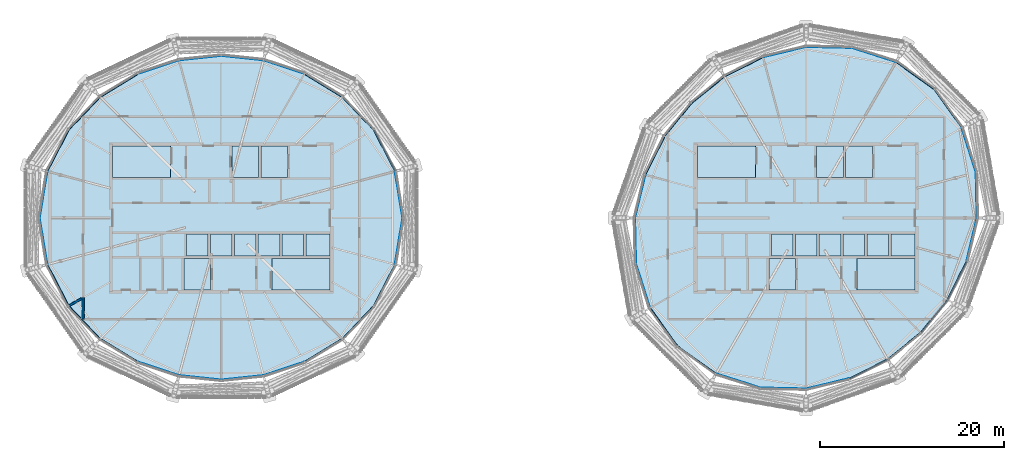
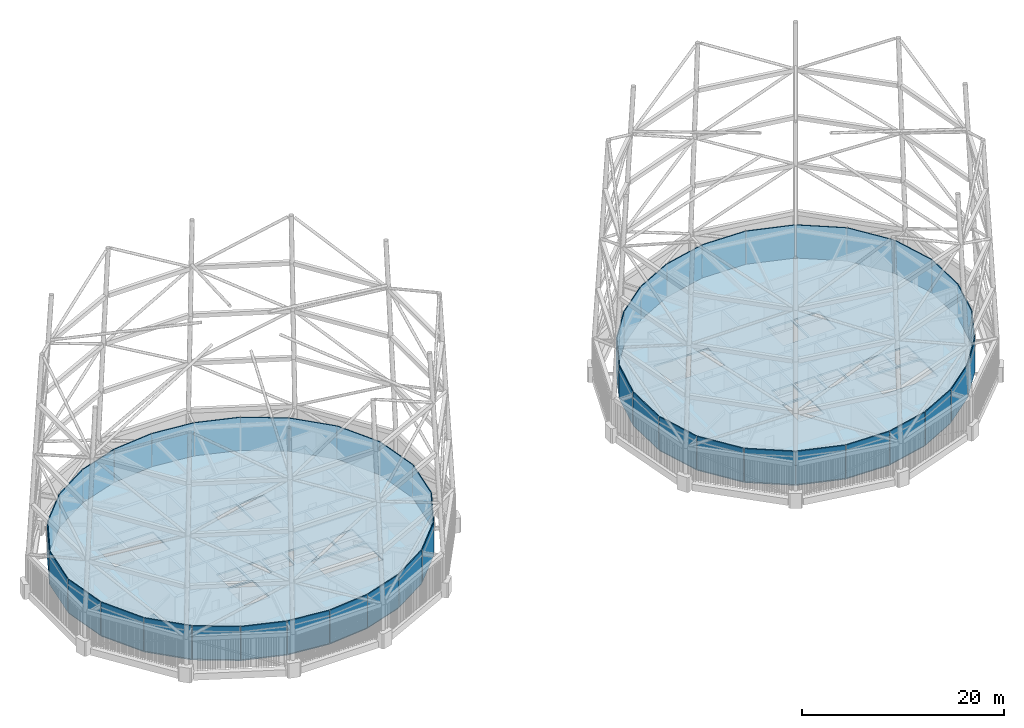
# One storey, part 62 of 71: 48 plates, 4 slabs, 2 walls, 2 elements without a shape of their own.
"""IFC4 building model written with IfcOpenShell, lengths in metres."""

from ifc_helpers import new_model, si_unit, direction, frame, frame_2d, origin, origin_2d, place, context, subcontext, project, spatial, polyline, rectangle, outline, extrude, material, layer, layer_set, type_object, element, aggregate, save


model = new_model("IFC4")

# Units and contexts
model_context = context("Model", 3, precision=1e-05, world=origin(), true_north=direction((0.0, 1.0)))
body_context = subcontext(model_context, "Body", "Model", "MODEL_VIEW")
ifc_project = project(units=[si_unit("LENGTHUNIT", "METRE"), si_unit("AREAUNIT", "SQUARE_METRE"), si_unit("VOLUMEUNIT", "CUBIC_METRE"), si_unit("PLANEANGLEUNIT", "RADIAN"), si_unit("MASSUNIT", "GRAM", prefix="KILO")], contexts=[model_context])

# Site, building, storey
site_placement = place(None, origin())
site = spatial("IfcSite", under=ifc_project, at=site_placement, CompositionType="ELEMENT")
building_placement = place(site_placement, origin())
building = spatial("IfcBuilding", under=site, at=building_placement, Name="Rimbun Link Towers", CompositionType="ELEMENT")
storey_placement = place(building_placement, frame((0.0, 0.0, 267.60009765625)))
storey = spatial("IfcBuildingStorey", under=building, at=storey_placement, Name="L65", CompositionType="ELEMENT", Elevation=267.60009765625)

# Slabs
ifc_material_1 = material(Name="Concrete C35/45", Category="concrete")
ifc_layer_1 = layer(ifc_material_1, 0.199951171875)
ifc_layer_set_1 = layer_set([ifc_layer_1], Name="COMPOSITE FLOOR 200")
slab_type_1 = type_object("IfcSlabType", Name="COMPOSITE FLOOR 200", PredefinedType="FLOOR", material=ifc_layer_set_1)
slab_1_placement = place(storey_placement, frame((0.0, 0.0, -0.2001953125)))
element("IfcSlab", 1, at=slab_1_placement, inside=storey, type_object=slab_type_1, Name="Floor slab T1 L65", PredefinedType="FLOOR", context=body_context, shape_type="SweptSolid", body=[
    extrude(outline(polyline([(-12.896240234375, -5.0517578125), (-15.220458984375, -9.54345703125), (-18.639892578125, -13.110107421875), (-22.730712890625, -15.621826171875), (-27.169921875, -17.093017578125), (-31.75, -17.5751953125), (-36.330078125, -17.093017578125), (-40.769287109375, -15.621826171875), (-44.860107421875, -13.110107421875), (-48.279541015625, -9.54345703125), (-50.603759765625, -5.0517578125), (-51.434326171875, 0.0), (-50.603759765625, 5.0517578125), (-48.279541015625, 9.54345703125), (-44.860107421875, 13.110107421875), (-40.769287109375, 15.621826171875), (-36.330078125, 17.093017578125), (-31.75, 17.5751953125), (-27.169921875, 17.093017578125), (-22.730712890625, 15.621826171875), (-18.639892578125, 13.110107421875), (-15.220458984375, 9.54345703125), (-12.896240234375, 5.0517578125), (-12.065673828125, 0.0), (-12.896240234375, -5.0517578125)]), holes=[polyline([(-32.89990234375, -4.39990234375), (-35.800048828125, -4.39990234375), (-35.800048828125, -7.800048828125), (-32.89990234375, -7.800048828125), (-32.89990234375, -4.39990234375)]), polyline([(-33.172119140625, -1.75), (-35.5166015625, -1.75), (-35.5166015625, -4.14990234375), (-33.172119140625, -4.14990234375), (-33.172119140625, -1.75)]), polyline([(-30.577880859375, -1.75), (-32.922119140625, -1.75), (-32.922119140625, -4.14990234375), (-30.577880859375, -4.14990234375), (-30.577880859375, -1.75)]), polyline([(-27.9833984375, -4.14990234375), (-27.9833984375, -1.75), (-30.327880859375, -1.75), (-30.327880859375, -4.14990234375), (-27.9833984375, -4.14990234375)]), polyline([(-37.260009765625, 4.39990234375), (-37.260009765625, 7.800048828125), (-43.550048828125, 7.800048828125), (-43.550048828125, 4.39990234375), (-37.260009765625, 4.39990234375)]), polyline([(-27.699951171875, 7.800048828125), (-30.60009765625, 7.800048828125), (-30.60009765625, 4.39990234375), (-27.699951171875, 4.39990234375), (-27.699951171875, 7.800048828125)]), polyline([(-19.949951171875, -7.800048828125), (-19.949951171875, -4.39990234375), (-26.239990234375, -4.39990234375), (-26.239990234375, -7.800048828125), (-19.949951171875, -7.800048828125)]), polyline([(-25.388916015625, -4.14990234375), (-25.388916015625, -1.75), (-27.7333984375, -1.75), (-27.7333984375, -4.14990234375), (-25.388916015625, -4.14990234375)]), polyline([(-22.79443359375, -1.75), (-25.138916015625, -1.75), (-25.138916015625, -4.14990234375), (-22.79443359375, -4.14990234375), (-22.79443359375, -1.75)]), polyline([(-19.949951171875, -4.14990234375), (-19.949951171875, -1.75), (-22.54443359375, -1.75), (-22.54443359375, -4.14990234375), (-19.949951171875, -4.14990234375)]), polyline([(-24.550048828125, 4.39990234375), (-24.550048828125, 7.800048828125), (-27.449951171875, 7.800048828125), (-27.449951171875, 4.39990234375), (-24.550048828125, 4.39990234375)])]), origin(), (0.0, 0.0, 1.0), 0.2001953125),
])
slab_2_placement = place(storey_placement, frame((0.0, 0.0, -0.2001953125)))
element("IfcSlab", 2, at=slab_2_placement, inside=storey, type_object=slab_type_1, Name="Floor slab T2 L65", PredefinedType="FLOOR", context=body_context, shape_type="SweptSolid", body=[
    extrude(outline(polyline([(48.65380859375, 9.759521484375), (50.186279296875, 4.93994140625), (50.29052734375, 0.0), (49.173828125, -4.668701171875), (47.0751953125, -8.847900390625), (44.177490234375, -12.427490234375), (40.597900390625, -15.3251953125), (36.418701171875, -17.423828125), (31.75, -18.54052734375), (26.81005859375, -18.436279296875), (21.990478515625, -16.90380859375), (17.8310546875, -13.9189453125), (14.84619140625, -9.759521484375), (13.313720703125, -4.93994140625), (13.20947265625, 0.0), (14.326171875, 4.668701171875), (16.4248046875, 8.847900390625), (19.322509765625, 12.427490234375), (22.902099609375, 15.3251953125), (27.081298828125, 17.423828125), (31.75, 18.54052734375), (36.68994140625, 18.436279296875), (41.509521484375, 16.90380859375), (45.6689453125, 13.9189453125), (48.65380859375, 9.759521484375)]), holes=[polyline([(30.60009765625, -4.39990234375), (27.699951171875, -4.39990234375), (27.699951171875, -7.800048828125), (30.60009765625, -7.800048828125), (30.60009765625, -4.39990234375)]), polyline([(30.327880859375, -1.75), (27.9833984375, -1.75), (27.9833984375, -4.14990234375), (30.327880859375, -4.14990234375), (30.327880859375, -1.75)]), polyline([(32.922119140625, -1.75), (30.577880859375, -1.75), (30.577880859375, -4.14990234375), (32.922119140625, -4.14990234375), (32.922119140625, -1.75)]), polyline([(35.5166015625, -4.14990234375), (35.5166015625, -1.75), (33.172119140625, -1.75), (33.172119140625, -4.14990234375), (35.5166015625, -4.14990234375)]), polyline([(26.239990234375, 4.39990234375), (26.239990234375, 7.800048828125), (19.949951171875, 7.800048828125), (19.949951171875, 4.39990234375), (26.239990234375, 4.39990234375)]), polyline([(35.800048828125, 7.800048828125), (32.89990234375, 7.800048828125), (32.89990234375, 4.39990234375), (35.800048828125, 4.39990234375), (35.800048828125, 7.800048828125)]), polyline([(43.550048828125, -7.800048828125), (43.550048828125, -4.39990234375), (37.260009765625, -4.39990234375), (37.260009765625, -7.800048828125), (43.550048828125, -7.800048828125)]), polyline([(38.111083984375, -4.14990234375), (38.111083984375, -1.75), (35.7666015625, -1.75), (35.7666015625, -4.14990234375), (38.111083984375, -4.14990234375)]), polyline([(40.70556640625, -1.75), (38.361083984375, -1.75), (38.361083984375, -4.14990234375), (40.70556640625, -4.14990234375), (40.70556640625, -1.75)]), polyline([(43.550048828125, -4.14990234375), (43.550048828125, -1.75), (40.95556640625, -1.75), (40.95556640625, -4.14990234375), (43.550048828125, -4.14990234375)]), polyline([(38.949951171875, 4.39990234375), (38.949951171875, 7.800048828125), (36.050048828125, 7.800048828125), (36.050048828125, 4.39990234375), (38.949951171875, 4.39990234375)])]), origin(), (0.0, 0.0, 1.0), 0.2001953125),
])

# Curtain wall, plates
ifc_material_2 = material(Name="Aluminium 6063-T6 louvre wall", Category="aluminium")
curtain_wall_type = type_object("IfcCurtainWallType", Name="CW6 plant floor louvre wall", PredefinedType="NOTDEFINED", material=ifc_material_2)
curtain_wall_1_placement = place(storey_placement, origin())
curtain_wall_1 = element("IfcCurtainWall", 3, at=curtain_wall_1_placement, inside=storey, type_object=curtain_wall_type, Name="CW6 L65 T1", PredefinedType="NOTDEFINED")
ifc_material_3 = material(Name="Aluminium louvre panel", Category="aluminium")
ifc_layer_2 = layer(ifc_material_3, 0.10009765625)
ifc_layer_set_2 = layer_set([ifc_layer_2], Name="CW6 panel Aluminium louvre panel 100")
plate_type = type_object("IfcPlateType", Name="CW6 panel Aluminium louvre panel 100", PredefinedType="CURTAIN_PANEL", material=ifc_layer_set_2)
plate_1_placement = place(storey_placement, frame((-12.431640625, 2.533935546875, 0.0), z_axis=(0.0, 0.0, 1.0), x_axis=(0.162257403424, -0.98674846594, 0.0)))
plate_1 = element("IfcPlate", 4, at=plate_1_placement, type_object=plate_type, Name="CW6 louvre panel", PredefinedType="CURTAIN_PANEL", context=body_context, shape_type="SweptSolid", body=[
    extrude(rectangle(XDim=5.07958984375, YDim=0.10009765625, at=origin_2d()), origin(), (0.0, 0.0, 1.0), 4.0),
])
plate_2_placement = place(storey_placement, frame((-14.013916015625, 7.320556640625, 0.0), z_axis=(0.0, 0.0, 1.0), x_axis=(0.459556858054, -0.888148351468, 0.0)))
plate_2 = element("IfcPlate", 5, at=plate_2_placement, type_object=plate_type, Name="CW6 louvre panel", PredefinedType="CURTAIN_PANEL", context=body_context, shape_type="SweptSolid", body=[
    extrude(rectangle(XDim=5.017333984375, YDim=0.10009765625, at=origin_2d()), origin(), (0.0, 0.0, 1.0), 4.0),
])
plate_3_placement = place(storey_placement, frame((-16.89404296875, 11.361328125, 0.0), z_axis=(0.0, 0.0, 1.0), x_axis=(0.692054362216, -0.721845384925, 0.0)))
plate_3 = element("IfcPlate", 6, at=plate_3_placement, type_object=plate_type, Name="CW6 louvre panel", PredefinedType="CURTAIN_PANEL", context=body_context, shape_type="SweptSolid", body=[
    extrude(rectangle(XDim=4.901123046875, YDim=0.10009765625, at=origin_2d()), origin(), (0.0, 0.0, 1.0), 4.0),
])
plate_4_placement = place(storey_placement, frame((-20.6591796875, 14.40869140625, 0.0), z_axis=(0.0, 0.0, 1.0), x_axis=(0.852180025726, -0.523248701627, 0.0)))
plate_4 = element("IfcPlate", 7, at=plate_4_placement, type_object=plate_type, Name="CW6 louvre panel", PredefinedType="CURTAIN_PANEL", context=body_context, shape_type="SweptSolid", body=[
    extrude(rectangle(XDim=4.760498046875, YDim=0.10009765625, at=origin_2d()), origin(), (0.0, 0.0, 1.0), 4.0),
])
plate_5_placement = place(storey_placement, frame((-24.9345703125, 16.405029296875, 0.0), z_axis=(0.0, 0.0, 1.0), x_axis=(0.949235663754, -0.314565819277, 0.0)))
plate_5 = element("IfcPlate", 8, at=plate_5_placement, type_object=plate_type, Name="CW6 louvre panel", PredefinedType="CURTAIN_PANEL", context=body_context, shape_type="SweptSolid", body=[
    extrude(rectangle(XDim=4.63671875, YDim=0.10009765625, at=origin_2d()), origin(), (0.0, 0.0, 1.0), 4.0),
])
plate_6_placement = place(storey_placement, frame((-29.454833984375, 17.3837890625, 0.0), z_axis=(0.0, 0.0, 1.0), x_axis=(0.994501287896, -0.104724344706, 0.0)))
plate_6 = element("IfcPlate", 9, at=plate_6_placement, type_object=plate_type, Name="CW6 louvre panel", PredefinedType="CURTAIN_PANEL", context=body_context, shape_type="SweptSolid", body=[
    extrude(rectangle(XDim=4.5654296875, YDim=0.10009765625, at=origin_2d()), origin(), (0.0, 0.0, 1.0), 4.0),
])
plate_7_placement = place(storey_placement, frame((-34.045166015625, 17.3837890625, 0.0), z_axis=(0.0, 0.0, 1.0), x_axis=(0.994501287896, 0.104724344706, 0.0)))
plate_7 = element("IfcPlate", 10, at=plate_7_placement, type_object=plate_type, Name="CW6 louvre panel", PredefinedType="CURTAIN_PANEL", context=body_context, shape_type="SweptSolid", body=[
    extrude(rectangle(XDim=4.5654296875, YDim=0.10009765625, at=origin_2d()), origin(), (0.0, 0.0, 1.0), 4.0),
])
plate_8_placement = place(storey_placement, frame((-38.5654296875, 16.405029296875, 0.0), z_axis=(0.0, 0.0, 1.0), x_axis=(0.949235663754, 0.314565819277, 0.0)))
plate_8 = element("IfcPlate", 11, at=plate_8_placement, type_object=plate_type, Name="CW6 louvre panel", PredefinedType="CURTAIN_PANEL", context=body_context, shape_type="SweptSolid", body=[
    extrude(rectangle(XDim=4.63671875, YDim=0.10009765625, at=origin_2d()), origin(), (0.0, 0.0, 1.0), 4.0),
])
plate_9_placement = place(storey_placement, frame((-42.8408203125, 14.40869140625, 0.0), z_axis=(0.0, 0.0, 1.0), x_axis=(0.852180025726, 0.523248701627, 0.0)))
plate_9 = element("IfcPlate", 12, at=plate_9_placement, type_object=plate_type, Name="CW6 louvre panel", PredefinedType="CURTAIN_PANEL", context=body_context, shape_type="SweptSolid", body=[
    extrude(rectangle(XDim=4.760498046875, YDim=0.10009765625, at=origin_2d()), origin(), (0.0, 0.0, 1.0), 4.0),
])
plate_10_placement = place(storey_placement, frame((-46.60595703125, 11.361328125, 0.0), z_axis=(0.0, 0.0, 1.0), x_axis=(0.692054362216, 0.721845384925, 0.0)))
plate_10 = element("IfcPlate", 13, at=plate_10_placement, type_object=plate_type, Name="CW6 louvre panel", PredefinedType="CURTAIN_PANEL", context=body_context, shape_type="SweptSolid", body=[
    extrude(rectangle(XDim=4.901123046875, YDim=0.10009765625, at=origin_2d()), origin(), (0.0, 0.0, 1.0), 4.0),
])
plate_11_placement = place(storey_placement, frame((-49.486083984375, 7.320556640625, 0.0), z_axis=(0.0, 0.0, 1.0), x_axis=(0.459556858054, 0.888148351468, 0.0)))
plate_11 = element("IfcPlate", 14, at=plate_11_placement, type_object=plate_type, Name="CW6 louvre panel", PredefinedType="CURTAIN_PANEL", context=body_context, shape_type="SweptSolid", body=[
    extrude(rectangle(XDim=5.017333984375, YDim=0.10009765625, at=origin_2d()), origin(), (0.0, 0.0, 1.0), 4.0),
])
plate_12_placement = place(storey_placement, frame((-51.068359375, 2.533935546875, 0.0), z_axis=(0.0, 0.0, 1.0), x_axis=(0.162257403424, 0.98674846594, 0.0)))
plate_12 = element("IfcPlate", 15, at=plate_12_placement, type_object=plate_type, Name="CW6 louvre panel", PredefinedType="CURTAIN_PANEL", context=body_context, shape_type="SweptSolid", body=[
    extrude(rectangle(XDim=5.07958984375, YDim=0.10009765625, at=origin_2d()), origin(), (0.0, 0.0, 1.0), 4.0),
])
plate_13_placement = place(storey_placement, frame((-51.068359375, -2.533935546875, 0.0), z_axis=(0.0, 0.0, 1.0), x_axis=(-0.162257403424, 0.98674846594, 0.0)))
plate_13 = element("IfcPlate", 16, at=plate_13_placement, type_object=plate_type, Name="CW6 louvre panel", PredefinedType="CURTAIN_PANEL", context=body_context, shape_type="SweptSolid", body=[
    extrude(rectangle(XDim=5.07958984375, YDim=0.10009765625, at=origin_2d()), origin(), (0.0, 0.0, 1.0), 4.0),
])
plate_14_placement = place(storey_placement, frame((-49.486083984375, -7.320556640625, 0.0), z_axis=(0.0, 0.0, 1.0), x_axis=(-0.459556858054, 0.888148351468, 0.0)))
plate_14 = element("IfcPlate", 17, at=plate_14_placement, type_object=plate_type, Name="CW6 louvre panel", PredefinedType="CURTAIN_PANEL", context=body_context, shape_type="SweptSolid", body=[
    extrude(rectangle(XDim=5.017333984375, YDim=0.10009765625, at=origin_2d()), origin(), (0.0, 0.0, 1.0), 4.0),
])
plate_15_placement = place(storey_placement, frame((-46.60595703125, -11.361328125, 0.0), z_axis=(0.0, 0.0, 1.0), x_axis=(-0.692054362216, 0.721845384925, 0.0)))
plate_15 = element("IfcPlate", 18, at=plate_15_placement, type_object=plate_type, Name="CW6 louvre panel", PredefinedType="CURTAIN_PANEL", context=body_context, shape_type="SweptSolid", body=[
    extrude(rectangle(XDim=4.901123046875, YDim=0.10009765625, at=origin_2d()), origin(), (0.0, 0.0, 1.0), 4.0),
])
plate_16_placement = place(storey_placement, frame((-42.8408203125, -14.40869140625, 0.0), z_axis=(0.0, 0.0, 1.0), x_axis=(-0.852180025726, 0.523248701627, 0.0)))
plate_16 = element("IfcPlate", 19, at=plate_16_placement, type_object=plate_type, Name="CW6 louvre panel", PredefinedType="CURTAIN_PANEL", context=body_context, shape_type="SweptSolid", body=[
    extrude(rectangle(XDim=4.760498046875, YDim=0.10009765625, at=origin_2d()), origin(), (0.0, 0.0, 1.0), 4.0),
])
plate_17_placement = place(storey_placement, frame((-38.5654296875, -16.405029296875, 0.0), z_axis=(0.0, 0.0, 1.0), x_axis=(-0.949235663754, 0.314565819277, 0.0)))
plate_17 = element("IfcPlate", 20, at=plate_17_placement, type_object=plate_type, Name="CW6 louvre panel", PredefinedType="CURTAIN_PANEL", context=body_context, shape_type="SweptSolid", body=[
    extrude(rectangle(XDim=4.63671875, YDim=0.10009765625, at=origin_2d()), origin(), (0.0, 0.0, 1.0), 4.0),
])
plate_18_placement = place(storey_placement, frame((-34.045166015625, -17.3837890625, 0.0), z_axis=(0.0, 0.0, 1.0), x_axis=(-0.994501287896, 0.104724344706, 0.0)))
plate_18 = element("IfcPlate", 21, at=plate_18_placement, type_object=plate_type, Name="CW6 louvre panel", PredefinedType="CURTAIN_PANEL", context=body_context, shape_type="SweptSolid", body=[
    extrude(rectangle(XDim=4.5654296875, YDim=0.10009765625, at=origin_2d()), origin(), (0.0, 0.0, 1.0), 4.0),
])
plate_19_placement = place(storey_placement, frame((-29.454833984375, -17.3837890625, 0.0), z_axis=(0.0, 0.0, 1.0), x_axis=(-0.994501287896, -0.104724344706, 0.0)))
plate_19 = element("IfcPlate", 22, at=plate_19_placement, type_object=plate_type, Name="CW6 louvre panel", PredefinedType="CURTAIN_PANEL", context=body_context, shape_type="SweptSolid", body=[
    extrude(rectangle(XDim=4.5654296875, YDim=0.10009765625, at=origin_2d()), origin(), (0.0, 0.0, 1.0), 4.0),
])
plate_20_placement = place(storey_placement, frame((-24.9345703125, -16.405029296875, 0.0), z_axis=(0.0, 0.0, 1.0), x_axis=(-0.949235663754, -0.314565819277, 0.0)))
plate_20 = element("IfcPlate", 23, at=plate_20_placement, type_object=plate_type, Name="CW6 louvre panel", PredefinedType="CURTAIN_PANEL", context=body_context, shape_type="SweptSolid", body=[
    extrude(rectangle(XDim=4.63671875, YDim=0.10009765625, at=origin_2d()), origin(), (0.0, 0.0, 1.0), 4.0),
])
plate_21_placement = place(storey_placement, frame((-20.6591796875, -14.40869140625, 0.0), z_axis=(0.0, 0.0, 1.0), x_axis=(-0.852180025726, -0.523248701627, 0.0)))
plate_21 = element("IfcPlate", 24, at=plate_21_placement, type_object=plate_type, Name="CW6 louvre panel", PredefinedType="CURTAIN_PANEL", context=body_context, shape_type="SweptSolid", body=[
    extrude(rectangle(XDim=4.760498046875, YDim=0.10009765625, at=origin_2d()), origin(), (0.0, 0.0, 1.0), 4.0),
])
plate_22_placement = place(storey_placement, frame((-16.89404296875, -11.361328125, 0.0), z_axis=(0.0, 0.0, 1.0), x_axis=(-0.692054362216, -0.721845384925, 0.0)))
plate_22 = element("IfcPlate", 25, at=plate_22_placement, type_object=plate_type, Name="CW6 louvre panel", PredefinedType="CURTAIN_PANEL", context=body_context, shape_type="SweptSolid", body=[
    extrude(rectangle(XDim=4.901123046875, YDim=0.10009765625, at=origin_2d()), origin(), (0.0, 0.0, 1.0), 4.0),
])
plate_23_placement = place(storey_placement, frame((-14.013916015625, -7.320556640625, 0.0), z_axis=(0.0, 0.0, 1.0), x_axis=(-0.459556858054, -0.888148351468, 0.0)))
plate_23 = element("IfcPlate", 26, at=plate_23_placement, type_object=plate_type, Name="CW6 louvre panel", PredefinedType="CURTAIN_PANEL", context=body_context, shape_type="SweptSolid", body=[
    extrude(rectangle(XDim=5.017333984375, YDim=0.10009765625, at=origin_2d()), origin(), (0.0, 0.0, 1.0), 4.0),
])
plate_24_placement = place(storey_placement, frame((-12.431640625, -2.533935546875, 0.0), z_axis=(0.0, 0.0, 1.0), x_axis=(-0.162257403424, -0.98674846594, 0.0)))
plate_24 = element("IfcPlate", 27, at=plate_24_placement, type_object=plate_type, Name="CW6 louvre panel", PredefinedType="CURTAIN_PANEL", context=body_context, shape_type="SweptSolid", body=[
    extrude(rectangle(XDim=5.07958984375, YDim=0.10009765625, at=origin_2d()), origin(), (0.0, 0.0, 1.0), 4.0),
])
aggregate(curtain_wall_1, [plate_1, plate_2, plate_3, plate_4, plate_5, plate_6, plate_7, plate_8, plate_9, plate_10, plate_11, plate_12, plate_13, plate_14, plate_15, plate_16, plate_17, plate_18, plate_19, plate_20, plate_21, plate_22, plate_23, plate_24])

curtain_wall_2_placement = place(storey_placement, origin())
curtain_wall_2 = element("IfcCurtainWall", 28, at=curtain_wall_2_placement, inside=storey, type_object=curtain_wall_type, Name="CW6 L65 T2", PredefinedType="NOTDEFINED")
plate_25_placement = place(storey_placement, frame((43.618408203125, 15.451904296875, 0.0), z_axis=(0.0, 0.0, 1.0), x_axis=(0.812469866393, -0.583003187129, 0.0)))
plate_25 = element("IfcPlate", 29, at=plate_25_placement, type_object=plate_type, Name="CW6 louvre panel", PredefinedType="CURTAIN_PANEL", context=body_context, shape_type="SweptSolid", body=[
    extrude(rectangle(XDim=5.07958984375, YDim=0.10009765625, at=origin_2d()), origin(), (0.0, 0.0, 1.0), 4.0),
])
plate_26_placement = place(storey_placement, frame((39.11474609375, 17.7177734375, 0.0), z_axis=(0.0, 0.0, 1.0), x_axis=(0.952974070673, -0.303051844782, 0.0)))
plate_26 = element("IfcPlate", 30, at=plate_26_placement, type_object=plate_type, Name="CW6 louvre panel", PredefinedType="CURTAIN_PANEL", context=body_context, shape_type="SweptSolid", body=[
    extrude(rectangle(XDim=5.017333984375, YDim=0.10009765625, at=origin_2d()), origin(), (0.0, 0.0, 1.0), 4.0),
])
plate_27_placement = place(storey_placement, frame((34.220947265625, 18.538330078125, 0.0), z_axis=(0.0, 0.0, 1.0), x_axis=(0.999778040901, -0.021068197169, 0.0)))
plate_27 = element("IfcPlate", 31, at=plate_27_placement, type_object=plate_type, Name="CW6 louvre panel", PredefinedType="CURTAIN_PANEL", context=body_context, shape_type="SweptSolid", body=[
    extrude(rectangle(XDim=4.901123046875, YDim=0.10009765625, at=origin_2d()), origin(), (0.0, 0.0, 1.0), 4.0),
])
plate_28_placement = place(storey_placement, frame((29.404052734375, 18.03076171875, 0.0), z_axis=(0.0, 0.0, 1.0), x_axis=(0.972570798633, 0.232607054161, 0.0)))
plate_28 = element("IfcPlate", 32, at=plate_28_placement, type_object=plate_type, Name="CW6 louvre panel", PredefinedType="CURTAIN_PANEL", context=body_context, shape_type="SweptSolid", body=[
    extrude(rectangle(XDim=4.76025390625, YDim=0.10009765625, at=origin_2d()), origin(), (0.0, 0.0, 1.0), 4.0),
])
plate_29_placement = place(storey_placement, frame((24.96923828125, 16.419189453125, 0.0), z_axis=(0.0, 0.0, 1.0), x_axis=(0.893651793489, 0.448761041082, 0.0)))
plate_29 = element("IfcPlate", 33, at=plate_29_placement, type_object=plate_type, Name="CW6 louvre panel", PredefinedType="CURTAIN_PANEL", context=body_context, shape_type="SweptSolid", body=[
    extrude(rectangle(XDim=4.63671875, YDim=0.10009765625, at=origin_2d()), origin(), (0.0, 0.0, 1.0), 4.0),
])
plate_30_placement = place(storey_placement, frame((21.080810546875, 13.915283203125, 0.0), z_axis=(0.0, 0.0, 1.0), x_axis=(0.777263074181, 0.629175741359, 0.0)))
plate_30 = element("IfcPlate", 34, at=plate_30_placement, type_object=plate_type, Name="CW6 louvre panel", PredefinedType="CURTAIN_PANEL", context=body_context, shape_type="SweptSolid", body=[
    extrude(rectangle(XDim=4.5654296875, YDim=0.10009765625, at=origin_2d()), origin(), (0.0, 0.0, 1.0), 4.0),
])
plate_31_placement = place(storey_placement, frame((17.834716796875, 10.669189453125, 0.0), z_axis=(0.0, 0.0, 1.0), x_axis=(0.629175741359, 0.777263074181, 0.0)))
plate_31 = element("IfcPlate", 35, at=plate_31_placement, type_object=plate_type, Name="CW6 louvre panel", PredefinedType="CURTAIN_PANEL", context=body_context, shape_type="SweptSolid", body=[
    extrude(rectangle(XDim=4.5654296875, YDim=0.10009765625, at=origin_2d()), origin(), (0.0, 0.0, 1.0), 4.0),
])
plate_32_placement = place(storey_placement, frame((15.330810546875, 6.78076171875, 0.0), z_axis=(0.0, 0.0, 1.0), x_axis=(0.448761041082, 0.893651793489, 0.0)))
plate_32 = element("IfcPlate", 36, at=plate_32_placement, type_object=plate_type, Name="CW6 louvre panel", PredefinedType="CURTAIN_PANEL", context=body_context, shape_type="SweptSolid", body=[
    extrude(rectangle(XDim=4.63671875, YDim=0.10009765625, at=origin_2d()), origin(), (0.0, 0.0, 1.0), 4.0),
])
plate_33_placement = place(storey_placement, frame((13.71923828125, 2.345947265625, 0.0), z_axis=(0.0, 0.0, 1.0), x_axis=(0.232607054161, 0.972570798633, 0.0)))
plate_33 = element("IfcPlate", 37, at=plate_33_placement, type_object=plate_type, Name="CW6 louvre panel", PredefinedType="CURTAIN_PANEL", context=body_context, shape_type="SweptSolid", body=[
    extrude(rectangle(XDim=4.76025390625, YDim=0.10009765625, at=origin_2d()), origin(), (0.0, 0.0, 1.0), 4.0),
])
plate_34_placement = place(storey_placement, frame((13.211669921875, -2.470947265625, 0.0), z_axis=(0.0, 0.0, 1.0), x_axis=(-0.021068197169, 0.999778040901, 0.0)))
plate_34 = element("IfcPlate", 38, at=plate_34_placement, type_object=plate_type, Name="CW6 louvre panel", PredefinedType="CURTAIN_PANEL", context=body_context, shape_type="SweptSolid", body=[
    extrude(rectangle(XDim=4.901123046875, YDim=0.10009765625, at=origin_2d()), origin(), (0.0, 0.0, 1.0), 4.0),
])
plate_35_placement = place(storey_placement, frame((14.0322265625, -7.36474609375, 0.0), z_axis=(0.0, 0.0, 1.0), x_axis=(-0.303051844782, 0.952974070673, 0.0)))
plate_35 = element("IfcPlate", 39, at=plate_35_placement, type_object=plate_type, Name="CW6 louvre panel", PredefinedType="CURTAIN_PANEL", context=body_context, shape_type="SweptSolid", body=[
    extrude(rectangle(XDim=5.017333984375, YDim=0.10009765625, at=origin_2d()), origin(), (0.0, 0.0, 1.0), 4.0),
])
plate_36_placement = place(storey_placement, frame((16.298095703125, -11.868408203125, 0.0), z_axis=(0.0, 0.0, 1.0), x_axis=(-0.583003187129, 0.812469866393, 0.0)))
plate_36 = element("IfcPlate", 40, at=plate_36_placement, type_object=plate_type, Name="CW6 louvre panel", PredefinedType="CURTAIN_PANEL", context=body_context, shape_type="SweptSolid", body=[
    extrude(rectangle(XDim=5.07958984375, YDim=0.10009765625, at=origin_2d()), origin(), (0.0, 0.0, 1.0), 4.0),
])
plate_37_placement = place(storey_placement, frame((19.881591796875, -15.451904296875, 0.0), z_axis=(0.0, 0.0, 1.0), x_axis=(-0.812469866393, 0.583003187129, 0.0)))
plate_37 = element("IfcPlate", 41, at=plate_37_placement, type_object=plate_type, Name="CW6 louvre panel", PredefinedType="CURTAIN_PANEL", context=body_context, shape_type="SweptSolid", body=[
    extrude(rectangle(XDim=5.07958984375, YDim=0.10009765625, at=origin_2d()), origin(), (0.0, 0.0, 1.0), 4.0),
])
plate_38_placement = place(storey_placement, frame((24.38525390625, -17.7177734375, 0.0), z_axis=(0.0, 0.0, 1.0), x_axis=(-0.952974070673, 0.303051844782, 0.0)))
plate_38 = element("IfcPlate", 42, at=plate_38_placement, type_object=plate_type, Name="CW6 louvre panel", PredefinedType="CURTAIN_PANEL", context=body_context, shape_type="SweptSolid", body=[
    extrude(rectangle(XDim=5.017333984375, YDim=0.10009765625, at=origin_2d()), origin(), (0.0, 0.0, 1.0), 4.0),
])
plate_39_placement = place(storey_placement, frame((29.279052734375, -18.538330078125, 0.0), z_axis=(0.0, 0.0, 1.0), x_axis=(-0.999778040901, 0.021068197169, 0.0)))
plate_39 = element("IfcPlate", 43, at=plate_39_placement, type_object=plate_type, Name="CW6 louvre panel", PredefinedType="CURTAIN_PANEL", context=body_context, shape_type="SweptSolid", body=[
    extrude(rectangle(XDim=4.901123046875, YDim=0.10009765625, at=origin_2d()), origin(), (0.0, 0.0, 1.0), 4.0),
])
plate_40_placement = place(storey_placement, frame((34.095947265625, -18.03076171875, 0.0), z_axis=(0.0, 0.0, 1.0), x_axis=(-0.972570798633, -0.232607054161, 0.0)))
plate_40 = element("IfcPlate", 44, at=plate_40_placement, type_object=plate_type, Name="CW6 louvre panel", PredefinedType="CURTAIN_PANEL", context=body_context, shape_type="SweptSolid", body=[
    extrude(rectangle(XDim=4.76025390625, YDim=0.10009765625, at=origin_2d()), origin(), (0.0, 0.0, 1.0), 4.0),
])
plate_41_placement = place(storey_placement, frame((38.53076171875, -16.419189453125, 0.0), z_axis=(0.0, 0.0, 1.0), x_axis=(-0.893651793489, -0.448761041082, 0.0)))
plate_41 = element("IfcPlate", 45, at=plate_41_placement, type_object=plate_type, Name="CW6 louvre panel", PredefinedType="CURTAIN_PANEL", context=body_context, shape_type="SweptSolid", body=[
    extrude(rectangle(XDim=4.63671875, YDim=0.10009765625, at=origin_2d()), origin(), (0.0, 0.0, 1.0), 4.0),
])
plate_42_placement = place(storey_placement, frame((42.419189453125, -13.915283203125, 0.0), z_axis=(0.0, 0.0, 1.0), x_axis=(-0.777263074181, -0.629175741359, 0.0)))
plate_42 = element("IfcPlate", 46, at=plate_42_placement, type_object=plate_type, Name="CW6 louvre panel", PredefinedType="CURTAIN_PANEL", context=body_context, shape_type="SweptSolid", body=[
    extrude(rectangle(XDim=4.5654296875, YDim=0.10009765625, at=origin_2d()), origin(), (0.0, 0.0, 1.0), 4.0),
])
plate_43_placement = place(storey_placement, frame((45.665283203125, -10.669189453125, 0.0), z_axis=(0.0, 0.0, 1.0), x_axis=(-0.629175741359, -0.777263074181, 0.0)))
plate_43 = element("IfcPlate", 47, at=plate_43_placement, type_object=plate_type, Name="CW6 louvre panel", PredefinedType="CURTAIN_PANEL", context=body_context, shape_type="SweptSolid", body=[
    extrude(rectangle(XDim=4.5654296875, YDim=0.10009765625, at=origin_2d()), origin(), (0.0, 0.0, 1.0), 4.0),
])
plate_44_placement = place(storey_placement, frame((48.169189453125, -6.78076171875, 0.0), z_axis=(0.0, 0.0, 1.0), x_axis=(-0.448761041082, -0.893651793489, 0.0)))
plate_44 = element("IfcPlate", 48, at=plate_44_placement, type_object=plate_type, Name="CW6 louvre panel", PredefinedType="CURTAIN_PANEL", context=body_context, shape_type="SweptSolid", body=[
    extrude(rectangle(XDim=4.63671875, YDim=0.10009765625, at=origin_2d()), origin(), (0.0, 0.0, 1.0), 4.0),
])
plate_45_placement = place(storey_placement, frame((49.78076171875, -2.345947265625, 0.0), z_axis=(0.0, 0.0, 1.0), x_axis=(-0.232607054161, -0.972570798633, 0.0)))
plate_45 = element("IfcPlate", 49, at=plate_45_placement, type_object=plate_type, Name="CW6 louvre panel", PredefinedType="CURTAIN_PANEL", context=body_context, shape_type="SweptSolid", body=[
    extrude(rectangle(XDim=4.76025390625, YDim=0.10009765625, at=origin_2d()), origin(), (0.0, 0.0, 1.0), 4.0),
])
plate_46_placement = place(storey_placement, frame((50.288330078125, 2.470947265625, 0.0), z_axis=(0.0, 0.0, 1.0), x_axis=(0.021068197169, -0.999778040901, 0.0)))
plate_46 = element("IfcPlate", 50, at=plate_46_placement, type_object=plate_type, Name="CW6 louvre panel", PredefinedType="CURTAIN_PANEL", context=body_context, shape_type="SweptSolid", body=[
    extrude(rectangle(XDim=4.901123046875, YDim=0.10009765625, at=origin_2d()), origin(), (0.0, 0.0, 1.0), 4.0),
])
plate_47_placement = place(storey_placement, frame((49.4677734375, 7.36474609375, 0.0), z_axis=(0.0, 0.0, 1.0), x_axis=(0.303051844782, -0.952974070673, 0.0)))
plate_47 = element("IfcPlate", 51, at=plate_47_placement, type_object=plate_type, Name="CW6 louvre panel", PredefinedType="CURTAIN_PANEL", context=body_context, shape_type="SweptSolid", body=[
    extrude(rectangle(XDim=5.017333984375, YDim=0.10009765625, at=origin_2d()), origin(), (0.0, 0.0, 1.0), 4.0),
])
plate_48_placement = place(storey_placement, frame((47.201904296875, 11.868408203125, 0.0), z_axis=(0.0, 0.0, 1.0), x_axis=(0.583003187129, -0.812469866393, 0.0)))
plate_48 = element("IfcPlate", 52, at=plate_48_placement, type_object=plate_type, Name="CW6 louvre panel", PredefinedType="CURTAIN_PANEL", context=body_context, shape_type="SweptSolid", body=[
    extrude(rectangle(XDim=5.07958984375, YDim=0.10009765625, at=origin_2d()), origin(), (0.0, 0.0, 1.0), 4.0),
])
aggregate(curtain_wall_2, [plate_25, plate_26, plate_27, plate_28, plate_29, plate_30, plate_31, plate_32, plate_33, plate_34, plate_35, plate_36, plate_37, plate_38, plate_39, plate_40, plate_41, plate_42, plate_43, plate_44, plate_45, plate_46, plate_47, plate_48])

# Slabs
ifc_material_4 = material(Name="Concrete C35/45", Category="concrete")
ifc_layer_3 = layer(ifc_material_4, 0.199951171875)
ifc_layer_set_3 = layer_set([ifc_layer_3], Name="ROOF SLAB 200")
slab_type_2 = type_object("IfcSlabType", Name="ROOF SLAB 200", PredefinedType="ROOF", material=ifc_layer_set_3)
slab_3_placement = place(storey_placement, frame((0.0, 0.0, 3.7998046875)))
element("IfcSlab", 53, at=slab_3_placement, inside=storey, type_object=slab_type_2, Name="Roof slab T1 L65", PredefinedType="ROOF", context=body_context, shape_type="SweptSolid", body=[
    extrude(outline(polyline([(-12.065673828125, 0.0), (-12.896240234375, 5.0517578125), (-15.220458984375, 9.54345703125), (-18.639892578125, 13.110107421875), (-22.730712890625, 15.621826171875), (-27.169921875, 17.093017578125), (-31.75, 17.5751953125), (-36.330078125, 17.093017578125), (-40.769287109375, 15.621826171875), (-44.860107421875, 13.110107421875), (-48.279541015625, 9.54345703125), (-50.603759765625, 5.0517578125), (-51.434326171875, 0.0), (-50.603759765625, -5.0517578125), (-48.279541015625, -9.54345703125), (-44.860107421875, -13.110107421875), (-40.769287109375, -15.621826171875), (-36.330078125, -17.093017578125), (-31.75, -17.5751953125), (-27.169921875, -17.093017578125), (-22.730712890625, -15.621826171875), (-18.639892578125, -13.110107421875), (-15.220458984375, -9.54345703125), (-12.896240234375, -5.0517578125), (-12.065673828125, 0.0)])), origin(), (0.0, 0.0, 1.0), 0.2001953125),
])
slab_4_placement = place(storey_placement, frame((0.0, 0.0, 3.7998046875)))
element("IfcSlab", 54, at=slab_4_placement, inside=storey, type_object=slab_type_2, Name="Roof slab T2 L65", PredefinedType="ROOF", context=body_context, shape_type="SweptSolid", body=[
    extrude(outline(polyline([(45.6689453125, 13.9189453125), (41.509521484375, 16.90380859375), (36.68994140625, 18.436279296875), (31.75, 18.54052734375), (27.081298828125, 17.423828125), (22.902099609375, 15.3251953125), (19.322509765625, 12.427490234375), (16.4248046875, 8.847900390625), (14.326171875, 4.668701171875), (13.20947265625, 0.0), (13.313720703125, -4.93994140625), (14.84619140625, -9.759521484375), (17.8310546875, -13.9189453125), (21.990478515625, -16.90380859375), (26.81005859375, -18.436279296875), (31.75, -18.54052734375), (36.418701171875, -17.423828125), (40.597900390625, -15.3251953125), (44.177490234375, -12.427490234375), (47.0751953125, -8.847900390625), (49.173828125, -4.668701171875), (50.29052734375, 0.0), (50.186279296875, 4.93994140625), (48.65380859375, 9.759521484375), (45.6689453125, 13.9189453125)])), origin(), (0.0, 0.0, 1.0), 0.2001953125),
])

# Walls
ifc_material_5 = material(Name="Concrete blockwork", Category="masonry")
ifc_layer_4 = layer(ifc_material_5, 0.199951171875)
ifc_layer_set_4 = layer_set([ifc_layer_4], Name="Fire partition 200 blockwork")
wall_type = type_object("IfcWallType", Name="Fire partition 200 blockwork", PredefinedType="PARTITIONING", material=ifc_layer_set_4)
wall_1_placement = place(storey_placement, frame((-46.75, -8.660400390625, 0.0), z_axis=(0.0, 0.0, 1.0), x_axis=(0.0, -1.0, 0.0)))
element("IfcWall", 55, at=wall_1_placement, inside=storey, type_object=wall_type, Name="TW/PW/L65/001", PredefinedType="PARTITIONING", context=body_context, shape_type="SweptSolid", body=[
    extrude(rectangle(XDim=2.318359375, YDim=0.199951171875, at=frame_2d((1.1591796875, 0.0))), origin(), (0.0, 0.0, 1.0), 3.326904296875),
])
wall_2_placement = place(storey_placement, frame((-46.89990234375, -8.746826171875, 0.0), z_axis=(0.0, 0.0, 1.0), x_axis=(-0.865999282208, -0.500045241169, 0.0)))
element("IfcWall", 56, at=wall_2_placement, inside=storey, type_object=wall_type, Name="TW/PW/L65/013", PredefinedType="PARTITIONING", context=body_context, shape_type="SweptSolid", body=[
    extrude(rectangle(XDim=1.593017578125, YDim=0.199951171875, at=frame_2d((0.79638671875, 0.0))), origin(), (0.0, 0.0, 1.0), 3.326904296875),
])

save(model, "model.ifc")
